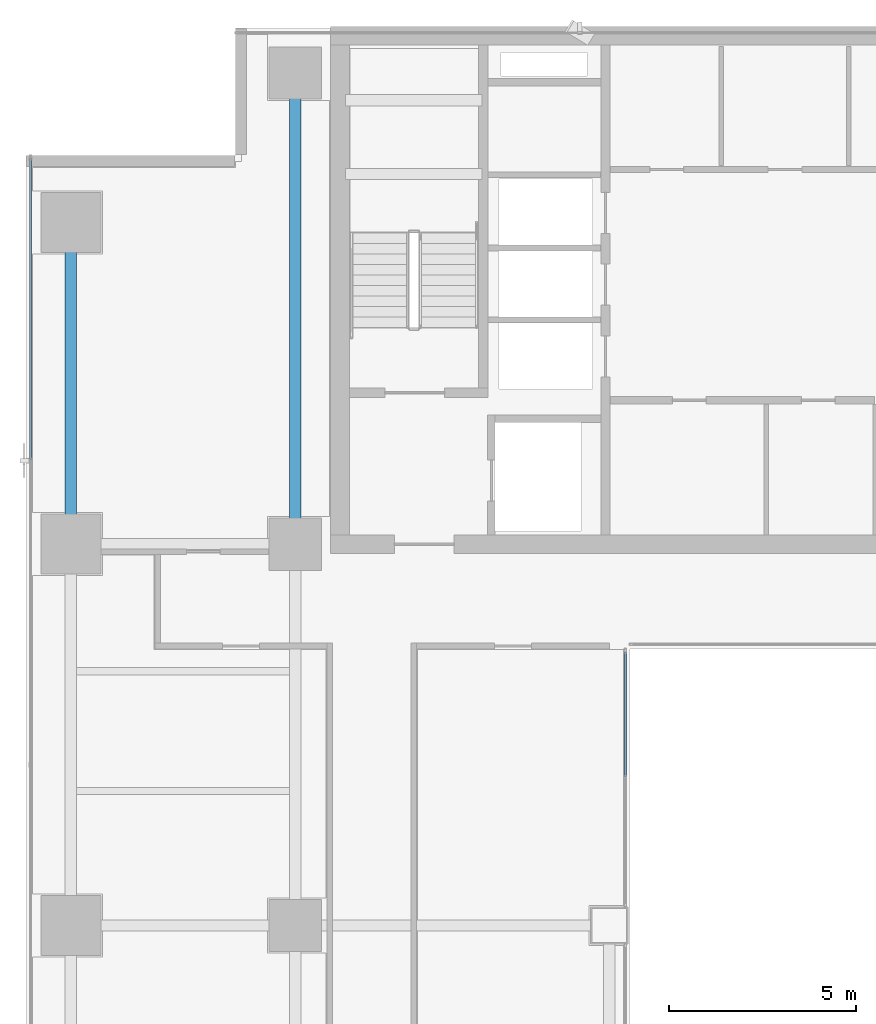
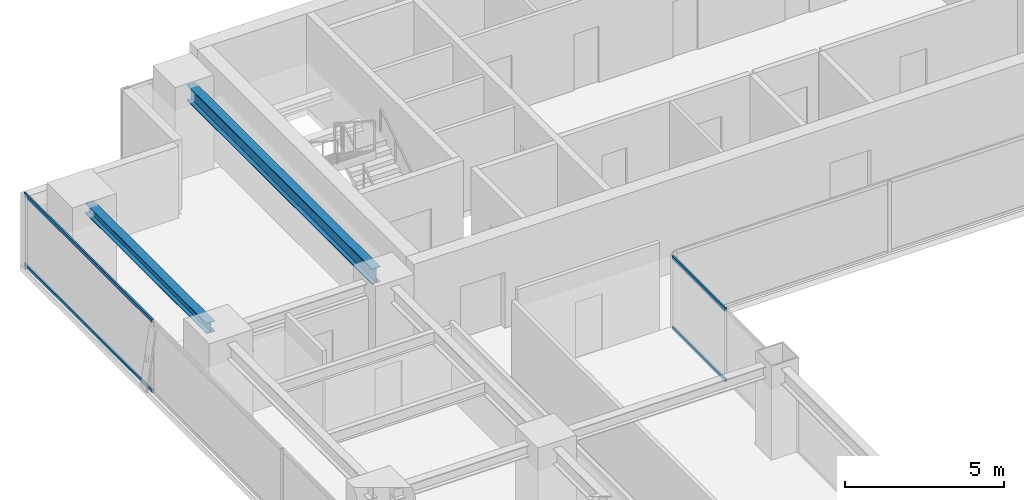
# One storey, part 9 of 29: 4 members, 2 beams, 2 elements without a shape of their own.
"""IFC4 building model written with IfcOpenShell, lengths in metres."""

from ifc_helpers import new_model, si_unit, direction, frame, origin, origin_2d, place, context, subcontext, project, spatial, hollow_rectangle, i_section, extrude, source, transform, mapped, material, layer, layer_set, material_profile, profile_set, type_object, element, aggregate, save


model = new_model("IFC4")

# Units and contexts
model_context = context("Model", 3, precision=1e-05, world=origin(), true_north=direction((0.0, 1.0)))
body_context = subcontext(model_context, "Body", "Model", "MODEL_VIEW")
ifc_project = project(units=[si_unit("LENGTHUNIT", "METRE"), si_unit("AREAUNIT", "SQUARE_METRE"), si_unit("VOLUMEUNIT", "CUBIC_METRE"), si_unit("PLANEANGLEUNIT", "RADIAN"), si_unit("MASSUNIT", "GRAM", prefix="KILO")], contexts=[model_context])

# Site, building, storey
site_placement = place(None, origin())
site = spatial("IfcSite", under=ifc_project, at=site_placement, CompositionType="ELEMENT")
building_placement = place(site_placement, origin())
building = spatial("IfcBuilding", under=site, at=building_placement, Name="Sumidabori Civic Tower", CompositionType="ELEMENT")
storey_placement = place(building_placement, frame((0.0, 0.0, 207.199951171875)))
storey = spatial("IfcBuildingStorey", under=building, at=storey_placement, Name="L53", CompositionType="ELEMENT", Elevation=207.199951171875)

# Beams
ifc_material_1 = material(Name="Steel SN490", Category="steel")
ifc_material_profile_1 = material_profile(ifc_material_1, i_section(OverallWidth=0.300048828125, OverallDepth=0.39990234375, WebThickness=0.013427734375, FlangeThickness=0.02392578125, at=origin_2d()), Name="HE 400 B")
ifc_profile_set_1 = profile_set([ifc_material_profile_1], Name="Steel SN490")
beam_type_1 = type_object("IfcBeamType", Name="BM-GIRD-400", PredefinedType="BEAM", material=ifc_profile_set_1)
shared_shape_1 = source(origin(), body_context, "Body", "SweptSolid", [
    extrude(i_section(OverallWidth=0.300048828125, OverallDepth=0.39990234375, WebThickness=0.013427734375, FlangeThickness=0.02392578125, at=origin_2d()), origin(), (0.0, 0.0, 1.0), 7.64013671875),
])
beam_1_placement = place(storey_placement, frame((-22.800048828125, 10.679931640625, 3.179931640625), z_axis=(0.0, 1.0, 0.0), x_axis=(-1.0, 0.0, 0.0)))
element("IfcBeam", 1, at=beam_1_placement, inside=storey, type_object=beam_type_1, Name="Primary Girder L53 GY-13", PredefinedType="BEAM", context=body_context, shape_type="MappedRepresentation", body=[
    mapped(shared_shape_1, transform((0.0, 0.0, 0.0), x_axis=(1.0, 0.0, 0.0), y_axis=(0.0, 1.0, 0.0), z_axis=(0.0, 0.0, 1.0), scale=1.0)),
])
ifc_material_profile_2 = material_profile(ifc_material_1, i_section(OverallWidth=0.300048828125, OverallDepth=0.60009765625, WebThickness=0.015380859375, FlangeThickness=0.030029296875, at=origin_2d()), Name="HE 600 B")
ifc_profile_set_2 = profile_set([ifc_material_profile_2], Name="Steel SN490")
beam_type_2 = type_object("IfcBeamType", Name="BM-GIRD-600", PredefinedType="BEAM", material=ifc_profile_set_2)
shared_shape_2 = source(origin(), body_context, "Body", "SweptSolid", [
    extrude(i_section(OverallWidth=0.300048828125, OverallDepth=0.60009765625, WebThickness=0.015380859375, FlangeThickness=0.030029296875, at=origin_2d()), origin(), (0.0, 0.0, 1.0), 11.64013671875),
])
beam_2_placement = place(storey_placement, frame((-16.800048828125, 10.679931640625, 3.080078125), z_axis=(0.0, 1.0, 0.0), x_axis=(-1.0, 0.0, 0.0)))
element("IfcBeam", 2, at=beam_2_placement, inside=storey, type_object=beam_type_2, Name="Primary Girder L53 GY-16", PredefinedType="BEAM", context=body_context, shape_type="MappedRepresentation", body=[
    mapped(shared_shape_2, transform((0.0, 0.0, 0.0), x_axis=(1.0, 0.0, 0.0), y_axis=(0.0, 1.0, 0.0), z_axis=(0.0, 0.0, 1.0), scale=1.0)),
])

# Curtain wall, members
ifc_material_2 = material(Name="Anodised Bronze Aluminium AW-6063-T6", Category="aluminium")
ifc_layer_1 = layer(ifc_material_2, 0.179931640625, Name="Anodised Bronze Aluminium AW-6063-T6")
ifc_layer_set_1 = layer_set([ifc_layer_1], Name="Anodised Bronze Aluminium AW-6063-T6")
curtain_wall_type_1 = type_object("IfcCurtainWallType", Name="CW-SYS-4", PredefinedType="NOTDEFINED", material=ifc_layer_set_1)
curtain_wall_1_placement = place(storey_placement, origin())
curtain_wall_1 = element("IfcCurtainWall", 3, at=curtain_wall_1_placement, inside=storey, type_object=curtain_wall_type_1, Name="Curtain Wall CW:L53:R04", PredefinedType="NOTDEFINED")
ifc_material_profile_3 = material_profile(ifc_material_2, hollow_rectangle(XDim=0.06005859375, YDim=0.1298828125, WallThickness=0.0048828125, at=origin_2d()), Name="ALU TRANSOM 130x60")
ifc_profile_set_3 = profile_set([ifc_material_profile_3], Name="Anodised Bronze Aluminium AW-6063-T6")
member_type = type_object("IfcMemberType", Name="CW-TRN-130", PredefinedType="USERDEFINED", material=ifc_profile_set_3)
shared_shape_3 = source(origin(), body_context, "Body", "SweptSolid", [
    extrude(hollow_rectangle(XDim=0.06005859375, YDim=0.1298828125, WallThickness=0.0048828125, at=origin_2d()), origin(), (0.0, 0.0, 1.0), 3.330078125),
])
member_1_placement = place(storey_placement, frame((-7.969970703125, 3.97998046875, 0.030029296875), z_axis=(0.0, 1.0, 0.0), x_axis=(-1.0, 0.0, 0.0)))
member_1 = element("IfcMember", 4, at=member_1_placement, type_object=member_type, Name="CW-4 transom 2.1", ObjectType="TRANSOM", PredefinedType="USERDEFINED", context=body_context, shape_type="MappedRepresentation", body=[
    mapped(shared_shape_3, transform((0.0, 0.0, 0.0), x_axis=(1.0, 0.0, 0.0), y_axis=(0.0, 1.0, 0.0), z_axis=(0.0, 0.0, 1.0), scale=1.0)),
])
member_2_placement = place(storey_placement, frame((-7.969970703125, 3.97998046875, 2.72998046875), z_axis=(0.0, 1.0, 0.0), x_axis=(-1.0, 0.0, 0.0)))
member_2 = element("IfcMember", 5, at=member_2_placement, type_object=member_type, Name="CW-4 transom 2.2", ObjectType="TRANSOM", PredefinedType="USERDEFINED", context=body_context, shape_type="MappedRepresentation", body=[
    mapped(shared_shape_3, transform((0.0, 0.0, 0.0), x_axis=(1.0, 0.0, 0.0), y_axis=(0.0, 1.0, 0.0), z_axis=(0.0, 0.0, 1.0), scale=1.0)),
])
aggregate(curtain_wall_1, [member_1, member_2])

ifc_layer_2 = layer(ifc_material_2, 0.179931640625, Name="Anodised Bronze Aluminium AW-6063-T6")
ifc_layer_set_2 = layer_set([ifc_layer_2], Name="Anodised Bronze Aluminium AW-6063-T6")
curtain_wall_type_2 = type_object("IfcCurtainWallType", Name="CW-SYS-5", PredefinedType="NOTDEFINED", material=ifc_layer_set_2)
curtain_wall_2_placement = place(storey_placement, origin())
curtain_wall_2 = element("IfcCurtainWall", 6, at=curtain_wall_2_placement, inside=storey, type_object=curtain_wall_type_2, Name="Curtain Wall CW:L53:R16", PredefinedType="NOTDEFINED")
shared_shape_4 = source(origin(), body_context, "Body", "SweptSolid", [
    extrude(hollow_rectangle(XDim=0.06005859375, YDim=0.1298828125, WallThickness=0.0048828125, at=origin_2d()), origin(), (0.0, 0.0, 1.0), 8.044921875),
])
member_3_placement = place(storey_placement, frame((-23.8798828125, 20.510009765625, 0.030029296875), z_axis=(0.0, -1.0, 0.0), x_axis=(1.0, 0.0, 0.0)))
member_3 = element("IfcMember", 7, at=member_3_placement, type_object=member_type, Name="CW-5 transom 1.1", ObjectType="TRANSOM", PredefinedType="USERDEFINED", context=body_context, shape_type="MappedRepresentation", body=[
    mapped(shared_shape_4, transform((0.0, 0.0, 0.0), x_axis=(1.0, 0.0, 0.0), y_axis=(0.0, 1.0, 0.0), z_axis=(0.0, 0.0, 1.0), scale=1.0)),
])
member_4_placement = place(storey_placement, frame((-23.8798828125, 20.510009765625, 2.72998046875), z_axis=(0.0, -1.0, 0.0), x_axis=(1.0, 0.0, 0.0)))
member_4 = element("IfcMember", 8, at=member_4_placement, type_object=member_type, Name="CW-5 transom 1.2", ObjectType="TRANSOM", PredefinedType="USERDEFINED", context=body_context, shape_type="MappedRepresentation", body=[
    mapped(shared_shape_4, transform((0.0, 0.0, 0.0), x_axis=(1.0, 0.0, 0.0), y_axis=(0.0, 1.0, 0.0), z_axis=(0.0, 0.0, 1.0), scale=1.0)),
])
aggregate(curtain_wall_2, [member_3, member_4])

save(model, "model.ifc")
